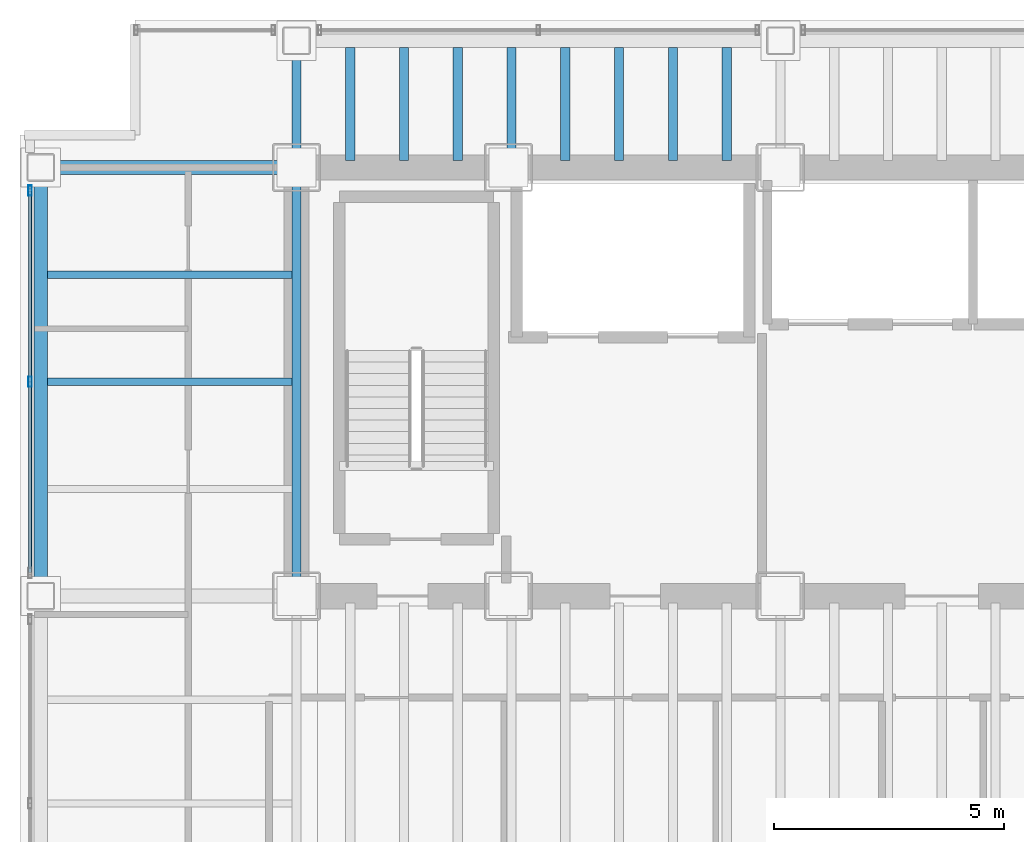
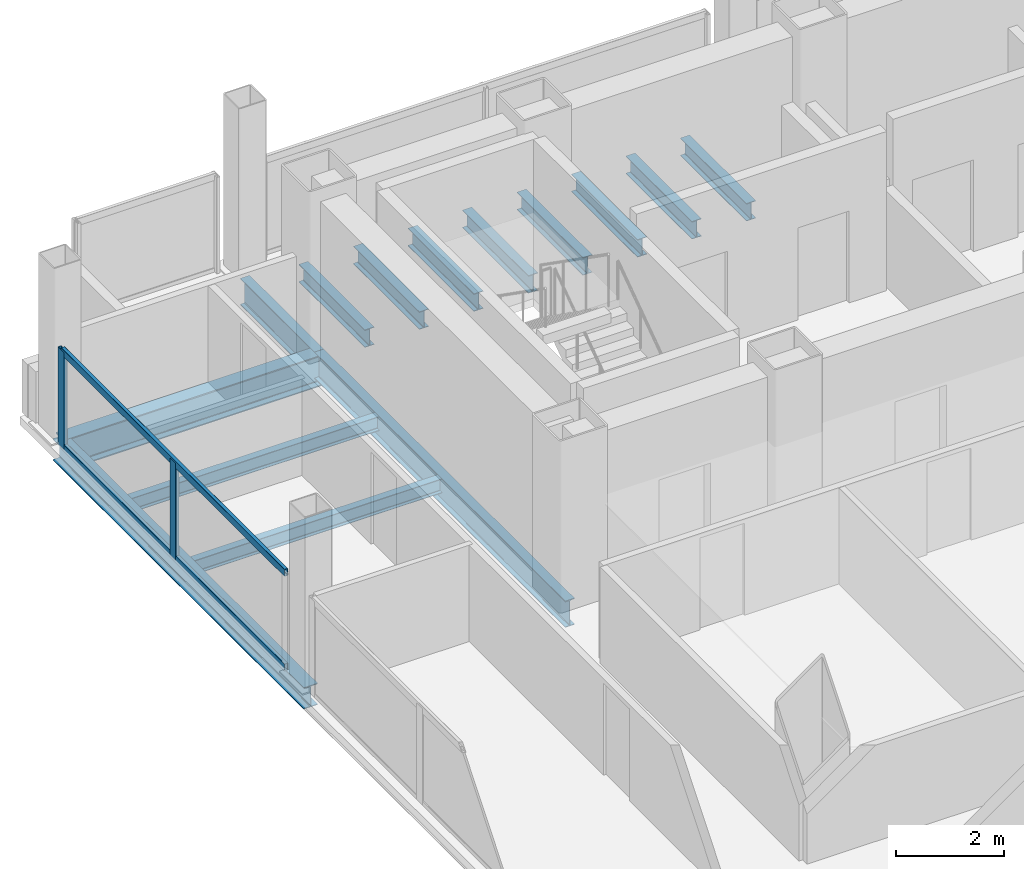
# One storey, part 7 of 21: 14 beams, 4 members, 1 element without a shape of its own.
"""IFC4 building model written with IfcOpenShell, lengths in metres."""

import ifcopenshell
import ifcopenshell.guid

model = None  # the IFC model being written
_history = None  # IfcOwnerHistory: only IFC2X3 demands one
_inside = {}  # id of a spatial element -> (the spatial element, [elements in it])
_under = {}  # id of a project, library or spatial element -> (it, [spatial elements below it])
_declared = {}  # id of a project -> (the project, [libraries it declares])
_typed = {}  # id of a type object -> (the type object, [elements of that type])
_made_of = {}  # id of a material, layer set ... -> (it, [elements and type objects made of it])


def new_model(schema):
    """Start an empty IFC model of exactly this schema.

    Asked for "IFC4X3", IfcOpenShell would pick the latest addendum, in which some entities
    have other attributes; the version numbers below select the first issue.
    IFC2X3 requires an IfcOwnerHistory on every rooted entity: one is made here for all.
    """
    global model, _history
    if schema == "IFC4X3":
        model = ifcopenshell.file(schema_version=(4, 3, 0, 0))
    else:
        model = ifcopenshell.file(schema=schema)
    _inside.clear()
    _under.clear()
    _declared.clear()
    _typed.clear()
    _made_of.clear()
    _history = None
    if model.schema == "IFC2X3":
        org = make("IfcOrganization", Name="unknown")
        user = make(
            "IfcPersonAndOrganization",
            ThePerson=make("IfcPerson", FamilyName="unknown"),
            TheOrganization=org,
        )
        app = make(
            "IfcApplication",
            ApplicationDeveloper=org,
            Version="unknown",
            ApplicationFullName="unknown",
            ApplicationIdentifier="unknown",
        )
        _history = make(
            "IfcOwnerHistory",
            OwningUser=user,
            OwningApplication=app,
            ChangeAction="ADDED",
            CreationDate=0,
        )
    return model


def make(cls, **values):
    """One entity of the class cls with the attributes given. An attribute that is None is left unset."""
    return model.create_entity(
        cls, **{name: value for name, value in values.items() if value is not None}
    )


def rooted(cls, **values):
    """An entity with a GlobalId (a new one), such as an element, a storey or a relation."""
    return make(cls, GlobalId=ifcopenshell.guid.new(), OwnerHistory=_history, **values)


def si_unit(unit_type, name, prefix=None):
    """IfcSIUnit, for example si_unit("LENGTHUNIT", "METRE", prefix="MILLI")."""
    return make("IfcSIUnit", UnitType=unit_type, Prefix=prefix, Name=name)


def assignment(units):
    """IfcUnitAssignment: the units of a project."""
    return None if units is None else make("IfcUnitAssignment", Units=units)


def point(xyz):
    """IfcCartesianPoint."""
    return None if xyz is None else make("IfcCartesianPoint", Coordinates=xyz)


def direction(xyz):
    """IfcDirection."""
    return None if xyz is None else make("IfcDirection", DirectionRatios=xyz)


def frame(location, z_axis=None, x_axis=None):
    """IfcAxis2Placement3D, a coordinate frame: its origin and axes. An axis left out is left unset."""
    return make(
        "IfcAxis2Placement3D",
        Location=point(location),
        Axis=direction(z_axis),
        RefDirection=direction(x_axis),
    )


def frame_2d(location, x_axis=None):
    """IfcAxis2Placement2D, a coordinate frame in the plane: its origin and x axis."""
    return make(
        "IfcAxis2Placement2D", Location=point(location), RefDirection=direction(x_axis)
    )


def origin():
    """The frame at (0, 0, 0) with its axes left unset."""
    return frame((0.0, 0.0, 0.0))


def origin_2d():
    """The frame at (0, 0) in the plane with its x axis left unset."""
    return frame_2d((0.0, 0.0))


def place(relative_to, where):
    """IfcLocalPlacement: puts the frame where relative to a parent placement (None: the world)."""
    return make(
        "IfcLocalPlacement", PlacementRelTo=relative_to, RelativePlacement=where
    )


def context(
    kind, dimensions, precision=None, world=None, true_north=None, identifier=None
):
    """IfcGeometricRepresentationContext, for example the 3D "Model" context."""
    return make(
        "IfcGeometricRepresentationContext",
        ContextIdentifier=identifier,
        ContextType=kind,
        CoordinateSpaceDimension=dimensions,
        Precision=precision,
        WorldCoordinateSystem=world,
        TrueNorth=true_north,
    )


def subcontext(parent, identifier, kind, view, scale=None):
    """IfcGeometricRepresentationSubContext, for example "Body" below "Model"."""
    return make(
        "IfcGeometricRepresentationSubContext",
        ContextIdentifier=identifier,
        ContextType=kind,
        ParentContext=parent,
        TargetScale=scale,
        TargetView=view,
    )


def project(units=None, contexts=None):
    """IfcProject with its units and contexts."""
    return rooted(
        "IfcProject",
        Name="project",
        RepresentationContexts=contexts,
        UnitsInContext=assignment(units),
    )


def spatial(cls, under=None, at=None, **own):
    """A site, building, storey or space (cls), placed at a placement, below another one or the project."""
    s = rooted(cls, ObjectPlacement=at, **own)
    if under is not None:
        _under.setdefault(under.id(), (under, []))[1].append(s)
    return s


def profile(cls, at=None, kind="AREA", **sizes):
    """A parametric profile (cls). Its sizes go by their IFC names, for example OverallWidth=200.0."""
    return make(cls, ProfileType=kind, Position=at, **sizes)


def hollow_rectangle(**sizes):
    """IfcRectangleHollowProfileDef."""
    return profile("IfcRectangleHollowProfileDef", **sizes)


def i_section(**sizes):
    """IfcIShapeProfileDef."""
    return profile("IfcIShapeProfileDef", **sizes)


def extrude(swept, where, along, depth):
    """IfcExtrudedAreaSolid: the profile swept, set in the frame where, extruded along a direction by depth."""
    return make(
        "IfcExtrudedAreaSolid",
        SweptArea=swept,
        Position=where,
        ExtrudedDirection=direction(along),
        Depth=depth,
    )


def shape(context_of_items, identifier, shape_type, items):
    """IfcShapeRepresentation: the items that make up one representation, for example the "Body"."""
    return make(
        "IfcShapeRepresentation",
        ContextOfItems=context_of_items,
        RepresentationIdentifier=identifier,
        RepresentationType=shape_type,
        Items=items,
    )


def material(Name=None, Category=None):
    """IfcMaterial."""
    return make("IfcMaterial", Name=Name, Category=Category)


def material_profile(
    of_material, cross_section, Name=None, Category=None, Priority=None
):
    """IfcMaterialProfile: a cross section and its material."""
    return make(
        "IfcMaterialProfile",
        Name=Name,
        Material=of_material,
        Profile=cross_section,
        Priority=Priority,
        Category=Category,
    )


def profile_set(profiles, Name=None, composite=None):
    """IfcMaterialProfileSet."""
    return make(
        "IfcMaterialProfileSet",
        Name=Name,
        MaterialProfiles=profiles,
        CompositeProfile=composite,
    )


def made_of(thing, what):
    """Note that an element or type object is made of a material, layer set ...; save() writes the relation."""
    if what is not None:
        _made_of.setdefault(what.id(), (what, []))[1].append(thing)
    return thing


def type_object(cls, material=None, **own):
    """A type object (cls), such as IfcWallType, which elements share."""
    return made_of(rooted(cls, **own), material)


def element(
    cls,
    number,
    at=None,
    inside=None,
    cuts=None,
    type_object=None,
    material=None,
    context=None,
    identifier="Body",
    shape_type=None,
    held_by="IfcProductDefinitionShape",
    body=None,
    shapes=None,
    **own,
):
    """One element of the class cls, such as IfcWall. Its Tag is "e" and its number.

    at: its placement. inside: the storey or other place that contains it. cuts: it is an
    opening in that element (IfcRelVoidsElement). A single representation is given by context,
    identifier, shape_type and body (its items); several are given by shapes. held_by: the class
    of the entity that holds the representations. save() writes the other relations.
    """
    e = rooted(cls, Tag="e%d" % number, ObjectPlacement=at, **own)
    if body is not None:
        shapes = [shape(context, identifier, shape_type, body)]
    if shapes is not None:
        e.Representation = make(held_by, Representations=shapes)
    if inside is not None:
        _inside.setdefault(inside.id(), (inside, []))[1].append(e)
    if cuts is not None:
        rooted(
            "IfcRelVoidsElement", RelatingBuildingElement=cuts, RelatedOpeningElement=e
        )
    if type_object is not None:
        _typed.setdefault(type_object.id(), (type_object, []))[1].append(e)
    return made_of(e, material)


def aggregate(whole, parts):
    """IfcRelAggregates: a whole, such as a stair, and the parts it consists of."""
    return rooted("IfcRelAggregates", RelatingObject=whole, RelatedObjects=parts)


def save(model, path):
    """Write the relations noted so far, then the file.

    IfcRelAggregates (storeys below a building ...), IfcRelContainedInSpatialStructure (elements
    in a storey), IfcRelDefinesByType, IfcRelAssociatesMaterial and IfcRelDeclares: one each for
    every whole, place, type object, material and project.
    """
    for whole, parts in _under.values():
        aggregate(whole, parts)
    for where, things in _inside.values():
        rooted(
            "IfcRelContainedInSpatialStructure",
            RelatedElements=things,
            RelatingStructure=where,
        )
    for kind, things in _typed.values():
        rooted("IfcRelDefinesByType", RelatedObjects=things, RelatingType=kind)
    for what, things in _made_of.values():
        rooted("IfcRelAssociatesMaterial", RelatedObjects=things, RelatingMaterial=what)
    for by, libraries in _declared.values():
        rooted("IfcRelDeclares", RelatingContext=by, RelatedDefinitions=libraries)
    model.write(path)


model = new_model("IFC4")

# Units and contexts
model_context = context("Model", 3, precision=1e-05, world=origin(), true_north=direction((0.0, 1.0)))
body_context = subcontext(model_context, "Body", "Model", "MODEL_VIEW")
ifc_project = project(units=[si_unit("LENGTHUNIT", "METRE"), si_unit("AREAUNIT", "SQUARE_METRE"), si_unit("VOLUMEUNIT", "CUBIC_METRE"), si_unit("PLANEANGLEUNIT", "RADIAN"), si_unit("MASSUNIT", "GRAM", prefix="KILO")], contexts=[model_context])

# Site, building, storey
site_placement = place(None, origin())
site = spatial("IfcSite", under=ifc_project, at=site_placement, CompositionType="ELEMENT")
building_placement = place(site_placement, origin())
building = spatial("IfcBuilding", under=site, at=building_placement, Name="Noeulbin Bourse Tower", CompositionType="ELEMENT")
storey_placement = place(building_placement, frame((0.0, 0.0, 96.699951171875)))
storey = spatial("IfcBuildingStorey", under=building, at=storey_placement, Name="L24", CompositionType="ELEMENT", Elevation=96.699951171875)

# Beams
ifc_material_1 = material(Name="Steel S355", Category="steel")
ifc_material_profile_1 = material_profile(ifc_material_1, i_section(OverallWidth=0.199951171875, OverallDepth=0.60009765625, WebThickness=0.010986328125, FlangeThickness=0.01708984375, FilletRadius=0.02197265625, at=origin_2d()), Name="H-600x200x11x17", Category="LoadBearing")
ifc_profile_set_1 = profile_set([ifc_material_profile_1], Name="Steel S355")
beam_type_1 = type_object("IfcBeamType", Name="BM-GRD-600", PredefinedType="USERDEFINED", material=ifc_profile_set_1)
beam_1_placement = place(storey_placement, frame((13.5, 29.0, -0.47998046875), z_axis=(0.0, 1.0, 0.0), x_axis=(-1.0, 0.0, 0.0)))
element("IfcBeam", 1, at=beam_1_placement, inside=storey, type_object=beam_type_1, Name="Tower Primary Girder NS L24-1.3", ObjectType="GIRDER", PredefinedType="USERDEFINED", context=body_context, shape_type="SweptSolid", body=[
    extrude(i_section(OverallWidth=0.199951171875, OverallDepth=0.60009765625, WebThickness=0.010986328125, FlangeThickness=0.01708984375, FilletRadius=0.02197265625, at=origin_2d()), origin(), (0.0, 0.0, 1.0), 9.300048828125),
])
beam_2_placement = place(storey_placement, frame((13.5, 38.300048828125, -0.47998046875), z_axis=(0.0, 1.0, 0.0), x_axis=(-1.0, 0.0, 0.0)))
element("IfcBeam", 2, at=beam_2_placement, inside=storey, type_object=beam_type_1, Name="Tower Primary Girder NS L24-1.4", ObjectType="GIRDER", PredefinedType="USERDEFINED", context=body_context, shape_type="SweptSolid", body=[
    extrude(i_section(OverallWidth=0.199951171875, OverallDepth=0.60009765625, WebThickness=0.010986328125, FlangeThickness=0.01708984375, FilletRadius=0.02197265625, at=origin_2d()), origin(), (0.0, 0.0, 1.0), 2.75),
])
ifc_material_profile_2 = material_profile(ifc_material_1, i_section(OverallWidth=0.300048828125, OverallDepth=0.699951171875, WebThickness=0.012939453125, FlangeThickness=0.02392578125, FilletRadius=0.02392578125, at=origin_2d()), Name="H-700x300x13x24", Category="LoadBearing")
ifc_profile_set_2 = profile_set([ifc_material_profile_2], Name="Steel S355")
beam_type_2 = type_object("IfcBeamType", Name="BM-GRD-700", PredefinedType="USERDEFINED", material=ifc_profile_set_2)
beam_3_placement = place(storey_placement, frame((7.949951171875, 38.300048828125, -0.530029296875), z_axis=(1.0, 0.0, 0.0), x_axis=(0.0, 1.0, 0.0)))
element("IfcBeam", 3, at=beam_3_placement, inside=storey, type_object=beam_type_2, Name="Tower Primary Girder EW L24-3.1", ObjectType="GIRDER", PredefinedType="USERDEFINED", context=body_context, shape_type="SweptSolid", body=[
    extrude(i_section(OverallWidth=0.300048828125, OverallDepth=0.699951171875, WebThickness=0.012939453125, FlangeThickness=0.02392578125, FilletRadius=0.02392578125, at=origin_2d()), origin(), (0.0, 0.0, 1.0), 5.550048828125),
])
ifc_material_profile_3 = material_profile(ifc_material_1, i_section(OverallWidth=0.159912109375, OverallDepth=0.320068359375, WebThickness=0.006591796875, FlangeThickness=0.010009765625, FilletRadius=0.012939453125, at=origin_2d()), Name="H-320x160x6.5x10", Category="LoadBearing")
ifc_profile_set_3 = profile_set([ifc_material_profile_3], Name="Steel S355")
beam_type_3 = type_object("IfcBeamType", Name="BM-JST-320", PredefinedType="JOIST", material=ifc_profile_set_3)
for number, where, z_axis, x_axis, name in (
    (4, (8.10009765625, 33.64990234375, -0.33984375), (1.0, 0.0, 0.0), (0.0, 1.0, 0.0), "Wing Composite Joist L24-W74"),
    (5, (8.10009765625, 35.97509765625, -0.33984375), (1.0, 0.0, 0.0), (0.0, 1.0, 0.0), "Wing Composite Joist L24-W75"),
):
    element("IfcBeam", number, at=place(storey_placement, frame(where, z_axis=z_axis, x_axis=x_axis)), inside=storey, type_object=beam_type_3, Name=name, PredefinedType="JOIST", context=body_context, shape_type="SweptSolid", body=[
        extrude(i_section(OverallWidth=0.159912109375, OverallDepth=0.320068359375, WebThickness=0.006591796875, FlangeThickness=0.010009765625, FilletRadius=0.012939453125, at=origin_2d()), origin(), (0.0, 0.0, 1.0), 5.2998046875),
    ])
ifc_material_profile_4 = material_profile(ifc_material_1, i_section(OverallWidth=0.199951171875, OverallDepth=0.39990234375, WebThickness=0.008056640625, FlangeThickness=0.012939453125, FilletRadius=0.01611328125, at=origin_2d()), Name="H-400x200x8x13", Category="LoadBearing")
ifc_profile_set_4 = profile_set([ifc_material_profile_4], Name="Steel S355")
beam_type_4 = type_object("IfcBeamType", Name="BM-SEC-400", PredefinedType="BEAM", material=ifc_profile_set_4)
for number, where, z_axis, x_axis, name in (
    (6, (14.666748046875, 38.449951171875, -0.3798828125), (0.0, 1.0, 0.0), (-1.0, 0.0, 0.0), "Tower Composite Joist L24-03"),
    (7, (15.833251953125, 38.449951171875, -0.3798828125), (0.0, 1.0, 0.0), (-1.0, 0.0, 0.0), "Tower Composite Joist L24-06"),
    (8, (17.0, 38.449951171875, -0.3798828125), (0.0, 1.0, 0.0), (-1.0, 0.0, 0.0), "Tower Composite Joist L24-09"),
    (9, (18.166748046875, 38.449951171875, -0.3798828125), (0.0, 1.0, 0.0), (-1.0, 0.0, 0.0), "Tower Composite Joist L24-12"),
    (10, (19.333251953125, 38.449951171875, -0.3798828125), (0.0, 1.0, 0.0), (-1.0, 0.0, 0.0), "Tower Composite Joist L24-15"),
    (11, (20.5, 38.449951171875, -0.3798828125), (0.0, 1.0, 0.0), (-1.0, 0.0, 0.0), "Tower Composite Joist L24-18"),
    (12, (21.666748046875, 38.449951171875, -0.3798828125), (0.0, 1.0, 0.0), (-1.0, 0.0, 0.0), "Tower Composite Joist L24-21"),
    (13, (22.833251953125, 38.449951171875, -0.3798828125), (0.0, 1.0, 0.0), (-1.0, 0.0, 0.0), "Tower Composite Joist L24-24"),
):
    element("IfcBeam", number, at=place(storey_placement, frame(where, z_axis=z_axis, x_axis=x_axis)), inside=storey, type_object=beam_type_4, Name=name, PredefinedType="BEAM", context=body_context, shape_type="SweptSolid", body=[
        extrude(i_section(OverallWidth=0.199951171875, OverallDepth=0.39990234375, WebThickness=0.008056640625, FlangeThickness=0.012939453125, FilletRadius=0.01611328125, at=origin_2d()), origin(), (0.0, 0.0, 1.0), 2.449951171875),
    ])
ifc_material_profile_5 = material_profile(ifc_material_1, i_section(OverallWidth=0.300048828125, OverallDepth=0.488037109375, WebThickness=0.010986328125, FlangeThickness=0.01806640625, FilletRadius=0.02197265625, at=origin_2d()), Name="H-488x300x11x18", Category="LoadBearing")
ifc_profile_set_5 = profile_set([ifc_material_profile_5], Name="Steel S355")
beam_type_5 = type_object("IfcBeamType", Name="BM-SPN-488", PredefinedType="SPANDREL", material=ifc_profile_set_5)
beam_4_placement = place(storey_placement, frame((7.949951171875, 29.0, -0.424072265625), z_axis=(0.0, 1.0, 0.0), x_axis=(-1.0, 0.0, 0.0)))
element("IfcBeam", 14, at=beam_4_placement, inside=storey, type_object=beam_type_5, Name="West Spandrel L24-2", PredefinedType="SPANDREL", context=body_context, shape_type="SweptSolid", body=[
    extrude(i_section(OverallWidth=0.300048828125, OverallDepth=0.488037109375, WebThickness=0.010986328125, FlangeThickness=0.01806640625, FilletRadius=0.02197265625, at=origin_2d()), origin(), (0.0, 0.0, 1.0), 9.300048828125),
])

# Curtain wall, members
ifc_material_2 = material(Name="Dark Solar-Control Double Glazing", Category="glass")
curtain_wall_type = type_object("IfcCurtainWallType", Name="CW-SYS-2", PredefinedType="NOTDEFINED", material=ifc_material_2)
curtain_wall_placement = place(storey_placement, origin())
curtain_wall = element("IfcCurtainWall", 15, at=curtain_wall_placement, inside=storey, type_object=curtain_wall_type, Name="Unitised Curtain Wall CW-L24-W-S3", PredefinedType="NOTDEFINED")
ifc_material_3 = material(Name="Anodised Aluminium 6063-T6", Category="aluminium")
ifc_material_profile_6 = material_profile(ifc_material_3, hollow_rectangle(XDim=0.074951171875, YDim=0.219970703125, WallThickness=0.0048828125, InnerFilletRadius=0.00244140625, OuterFilletRadius=0.0048828125, at=origin_2d()), Name="ALU-MULL-75x220x5", Category="LoadBearing")
ifc_profile_set_6 = profile_set([ifc_material_profile_6], Name="Anodised Aluminium 6063-T6")
member_type_1 = type_object("IfcMemberType", Name="CW-SYS-2-MUL", PredefinedType="MULLION", material=ifc_profile_set_6)
member_1_placement = place(storey_placement, frame((7.719970703125, 33.64990234375, -0.02001953125), z_axis=(0.0, 0.0, 1.0), x_axis=(1.0, 0.0, 0.0)))
member_1 = element("IfcMember", 16, at=member_1_placement, type_object=member_type_1, Name="Curtain Wall Mullion CW-L24-W-S3-M01", PredefinedType="MULLION", context=body_context, shape_type="SweptSolid", body=[
    extrude(hollow_rectangle(XDim=0.074951171875, YDim=0.219970703125, WallThickness=0.0048828125, InnerFilletRadius=0.00244140625, OuterFilletRadius=0.0048828125, at=origin_2d()), origin(), (0.0, 0.0, 1.0), 2.199951171875),
])
member_2_placement = place(storey_placement, frame((7.719970703125, 37.800048828125, -0.02001953125), z_axis=(0.0, 0.0, 1.0), x_axis=(1.0, 0.0, 0.0)))
member_2 = element("IfcMember", 17, at=member_2_placement, type_object=member_type_1, Name="Curtain Wall Mullion CW-L24-W-S3-M02", PredefinedType="MULLION", context=body_context, shape_type="SweptSolid", body=[
    extrude(hollow_rectangle(XDim=0.074951171875, YDim=0.219970703125, WallThickness=0.0048828125, InnerFilletRadius=0.00244140625, OuterFilletRadius=0.0048828125, at=origin_2d()), origin(), (0.0, 0.0, 1.0), 2.199951171875),
])
ifc_material_profile_7 = material_profile(ifc_material_3, hollow_rectangle(XDim=0.074951171875, YDim=0.159912109375, WallThickness=0.0048828125, InnerFilletRadius=0.00244140625, OuterFilletRadius=0.0048828125, at=origin_2d()), Name="ALU-TRAN-75x160x5", Category="LoadBearing")
ifc_profile_set_7 = profile_set([ifc_material_profile_7], Name="Anodised Aluminium 6063-T6")
member_type_2 = type_object("IfcMemberType", Name="CW-SYS-2-TRN", PredefinedType="USERDEFINED", material=ifc_profile_set_7)
member_3_placement = place(storey_placement, frame((7.719970703125, 29.510009765625, 0.010009765625), z_axis=(0.0, 1.0, 0.0), x_axis=(-1.0, 0.0, 0.0)))
member_3 = element("IfcMember", 18, at=member_3_placement, type_object=member_type_2, Name="Curtain Wall Transom CW-L24-W-S3-T00", ObjectType="TRANSOM", PredefinedType="USERDEFINED", context=body_context, shape_type="SweptSolid", body=[
    extrude(hollow_rectangle(XDim=0.074951171875, YDim=0.159912109375, WallThickness=0.0048828125, InnerFilletRadius=0.00244140625, OuterFilletRadius=0.0048828125, at=origin_2d()), origin(), (0.0, 0.0, 1.0), 8.280029296875),
])
member_4_placement = place(storey_placement, frame((7.719970703125, 29.510009765625, 2.150146484375), z_axis=(0.0, 1.0, 0.0), x_axis=(-1.0, 0.0, 0.0)))
member_4 = element("IfcMember", 19, at=member_4_placement, type_object=member_type_2, Name="Curtain Wall Transom CW-L24-W-S3-T01", ObjectType="TRANSOM", PredefinedType="USERDEFINED", context=body_context, shape_type="SweptSolid", body=[
    extrude(hollow_rectangle(XDim=0.074951171875, YDim=0.159912109375, WallThickness=0.0048828125, InnerFilletRadius=0.00244140625, OuterFilletRadius=0.0048828125, at=origin_2d()), origin(), (0.0, 0.0, 1.0), 8.280029296875),
])
aggregate(curtain_wall, [member_1, member_2, member_3, member_4])

save(model, "model.ifc")
